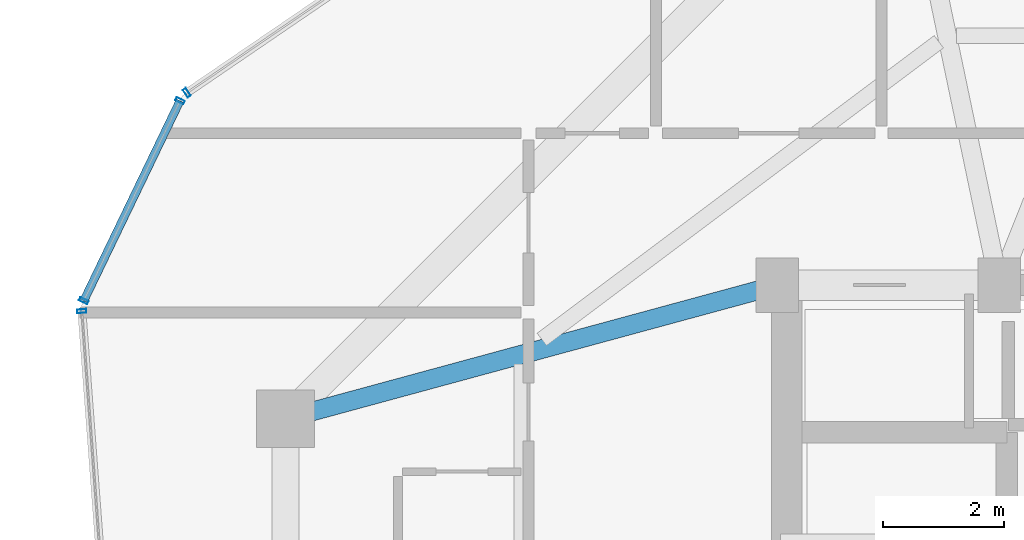
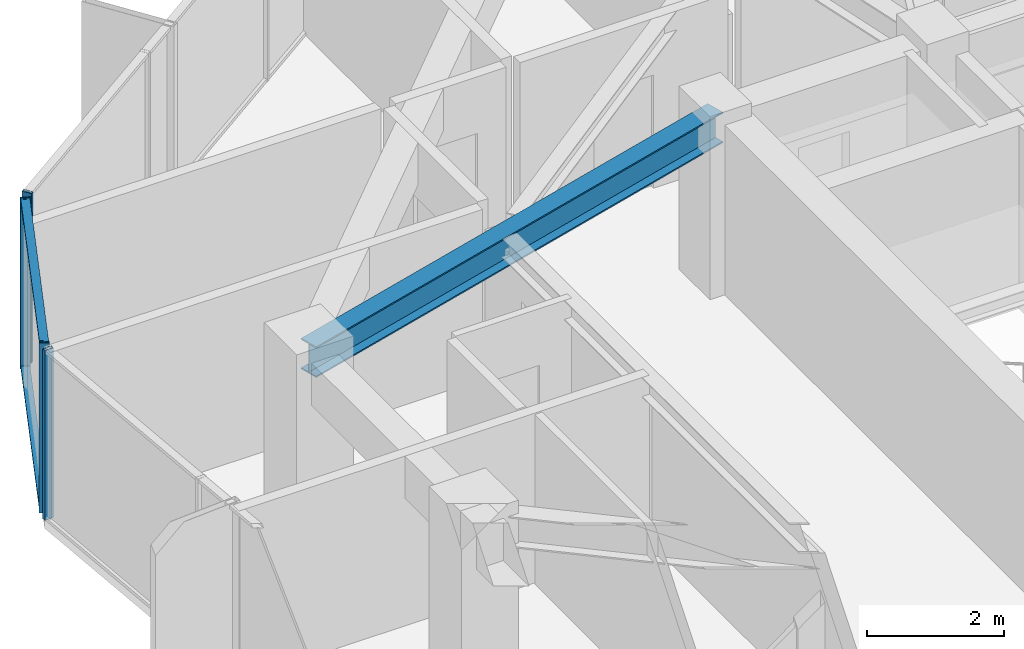
# One storey, part 16 of 34: 6 members, 1 beam, 3 elements without a shape of their own.
"""IFC4 building model written with IfcOpenShell, lengths in metres."""

from ifc_helpers import new_model, si_unit, direction, frame, origin, origin_2d, place, context, subcontext, project, spatial, hollow_rectangle, i_section, extrude, source, transform, mapped, material, layer, layer_set, material_profile, profile_set, type_object, element, aggregate, save


model = new_model("IFC4")

# Units and contexts
model_context = context("Model", 3, precision=1e-05, world=origin(), true_north=direction((0.0, 1.0)))
body_context = subcontext(model_context, "Body", "Model", "MODEL_VIEW")
ifc_project = project(units=[si_unit("LENGTHUNIT", "METRE"), si_unit("AREAUNIT", "SQUARE_METRE"), si_unit("VOLUMEUNIT", "CUBIC_METRE"), si_unit("PLANEANGLEUNIT", "RADIAN"), si_unit("MASSUNIT", "GRAM", prefix="KILO")], contexts=[model_context])

# Site, building, storey
site_placement = place(None, origin())
site = spatial("IfcSite", under=ifc_project, at=site_placement, CompositionType="ELEMENT")
building_placement = place(site_placement, origin())
building = spatial("IfcBuilding", under=site, at=building_placement, Name="Veraguas Prism Commons", CompositionType="ELEMENT")
storey_placement = place(building_placement, frame((0.0, 0.0, 191.85009765625)))
storey = spatial("IfcBuildingStorey", under=building, at=storey_placement, Name="L54", CompositionType="ELEMENT", Elevation=191.85009765625)

# Beam
ifc_material_1 = material(Name="Steel ASTM A992 Grade 50", Category="steel")
ifc_material_profile_1 = material_profile(ifc_material_1, i_section(OverallWidth=0.31103515625, OverallDepth=0.5458984375, WebThickness=0.0146484375, FlangeThickness=0.023681640625, at=origin_2d()), Name="W530X165")
ifc_profile_set_1 = profile_set([ifc_material_profile_1], Name="Steel ASTM A992 Grade 50")
beam_type = type_object("IfcBeamType", Name="Zone 3 Radial Girder W530x165", PredefinedType="BEAM", material=ifc_profile_set_1)
beam_placement = place(storey_placement, frame((9.10009765625, 28.800048828125, 2.741943359375), z_axis=(0.965038506703, 0.262108146725, 0.0), x_axis=(-0.262108146725, 0.965038506703, 0.0)))
element("IfcBeam", 1, at=beam_placement, inside=storey, type_object=beam_type, Name="Radial Floor Girder L54-RD07", PredefinedType="BEAM", context=body_context, shape_type="SweptSolid", body=[
    extrude(i_section(OverallWidth=0.31103515625, OverallDepth=0.5458984375, WebThickness=0.0146484375, FlangeThickness=0.023681640625, at=origin_2d()), origin(), (0.0, 0.0, 1.0), 8.393310546875),
])

# Curtain wall, member
ifc_material_2 = material(Name="Anodised aluminium EN AW-6063 T6", Category="aluminium")
ifc_layer = layer(ifc_material_2, 0.14990234375, Name="Unitised Flush Curtain Wall Zone 3", Category="aluminium")
ifc_layer_set = layer_set([ifc_layer], Name="Anodised aluminium EN AW-6063 T6")
curtain_wall_type = type_object("IfcCurtainWallType", Name="Unitised Flush Curtain Wall Zone 3", PredefinedType="NOTDEFINED", material=ifc_layer_set)
curtain_wall_1_placement = place(storey_placement, origin())
curtain_wall_1 = element("IfcCurtainWall", 2, at=curtain_wall_1_placement, inside=storey, type_object=curtain_wall_type, Name="Tower Facade Curtain Wall L54-F2", PredefinedType="NOTDEFINED")
ifc_material_profile_2 = material_profile(ifc_material_2, hollow_rectangle(XDim=0.06005859375, YDim=0.14990234375, WallThickness=0.0029296875, at=origin_2d()), Name="AL60X150X3")
ifc_profile_set_2 = profile_set([ifc_material_profile_2], Name="Anodised aluminium EN AW-6063 T6")
member_type_1 = type_object("IfcMemberType", Name="Curtain Wall Mullion Upper AL 60x150x3", PredefinedType="MULLION", material=ifc_profile_set_2)
shared_shape_1 = source(origin(), body_context, "Body", "SweptSolid", [
    extrude(hollow_rectangle(XDim=0.06005859375, YDim=0.14990234375, WallThickness=0.0029296875, at=origin_2d()), origin(), (0.0, 0.0, 1.0), 3.014892578125),
])
member_1_placement = place(storey_placement, frame((7.47607421875, 34.16650390625, 0.0), z_axis=(0.0, 0.0, 1.0), x_axis=(-0.826095343869, -0.56353037437, 0.0)))
member_1 = element("IfcMember", 3, at=member_1_placement, type_object=member_type_1, Name="CW-Z3 Mullion 5", PredefinedType="MULLION", context=body_context, shape_type="MappedRepresentation", body=[
    mapped(shared_shape_1, transform((0.0, 0.0, 0.0), scale=1.0)),
])
aggregate(curtain_wall_1, [member_1])

curtain_wall_2_placement = place(storey_placement, origin())
curtain_wall_2 = element("IfcCurtainWall", 4, at=curtain_wall_2_placement, inside=storey, type_object=curtain_wall_type, Name="Tower Facade Curtain Wall L54-F3", PredefinedType="NOTDEFINED")
member_2_placement = place(storey_placement, frame((5.745849609375, 30.571044921875, 0.0), z_axis=(0.0, 0.0, 1.0), x_axis=(0.074975245993, -0.997185395244, 0.0)))
member_2 = element("IfcMember", 5, at=member_2_placement, type_object=member_type_1, Name="CW-Z3 Mullion 1", PredefinedType="MULLION", context=body_context, shape_type="MappedRepresentation", body=[
    mapped(shared_shape_1, transform((0.0, 0.0, 0.0), scale=1.0)),
])
aggregate(curtain_wall_2, [member_2])

# Curtain wall, members
curtain_wall_3_placement = place(storey_placement, origin())
curtain_wall_3 = element("IfcCurtainWall", 6, at=curtain_wall_3_placement, inside=storey, type_object=curtain_wall_type, Name="Chamfer Curtain Wall L54-C3", PredefinedType="NOTDEFINED")
member_3_placement = place(storey_placement, frame((7.36279296875, 34.03466796875, 0.0), z_axis=(0.0, 0.0, 1.0), x_axis=(-0.433679529265, -0.901067181678, 0.0)))
member_3 = element("IfcMember", 7, at=member_3_placement, type_object=member_type_1, Name="CW-Z3 Mullion 1", PredefinedType="MULLION", context=body_context, shape_type="MappedRepresentation", body=[
    mapped(shared_shape_1, transform((0.0, 0.0, 0.0), scale=1.0)),
])
member_4_placement = place(storey_placement, frame((5.778076171875, 30.741943359375, 0.0), z_axis=(0.0, 0.0, 1.0), x_axis=(-0.433679529265, -0.901067181678, 0.0)))
member_4 = element("IfcMember", 8, at=member_4_placement, type_object=member_type_1, Name="CW-Z3 Mullion 2", PredefinedType="MULLION", context=body_context, shape_type="MappedRepresentation", body=[
    mapped(shared_shape_1, transform((0.0, 0.0, 0.0), scale=1.0)),
])
ifc_material_profile_3 = material_profile(ifc_material_2, hollow_rectangle(XDim=0.054931640625, YDim=0.135009765625, WallThickness=0.0029296875, at=origin_2d()), Name="AL55X135X3")
ifc_profile_set_3 = profile_set([ifc_material_profile_3], Name="Anodised aluminium EN AW-6063 T6")
member_type_2 = type_object("IfcMemberType", Name="Curtain Wall Transom Standard AL 55x135x3", PredefinedType="USERDEFINED", material=ifc_profile_set_3)
shared_shape_2 = source(origin(), body_context, "Body", "SweptSolid", [
    extrude(hollow_rectangle(XDim=0.054931640625, YDim=0.135009765625, WallThickness=0.0029296875, at=origin_2d()), origin(), (0.0, 0.0, 1.0), 3.654296875),
])
member_5_placement = place(storey_placement, frame((7.36279296875, 34.03466796875, 0.02734375), z_axis=(-0.433666963224, -0.901073229548, 0.0), x_axis=(0.0, 0.0, 1.0)))
member_5 = element("IfcMember", 9, at=member_5_placement, type_object=member_type_2, Name="CW-Z3 Transom 1", ObjectType="TRANSOM", PredefinedType="USERDEFINED", context=body_context, shape_type="MappedRepresentation", body=[
    mapped(shared_shape_2, transform((0.0, 0.0, 0.0), scale=1.0)),
])
member_6_placement = place(storey_placement, frame((7.36279296875, 34.03466796875, 2.9873046875), z_axis=(-0.433666963224, -0.901073229548, 0.0), x_axis=(0.0, 0.0, 1.0)))
member_6 = element("IfcMember", 10, at=member_6_placement, type_object=member_type_2, Name="CW-Z3 Transom 2", ObjectType="TRANSOM", PredefinedType="USERDEFINED", context=body_context, shape_type="MappedRepresentation", body=[
    mapped(shared_shape_2, transform((0.0, 0.0, 0.0), scale=1.0)),
])
aggregate(curtain_wall_3, [member_3, member_4, member_5, member_6])

save(model, "model.ifc")
